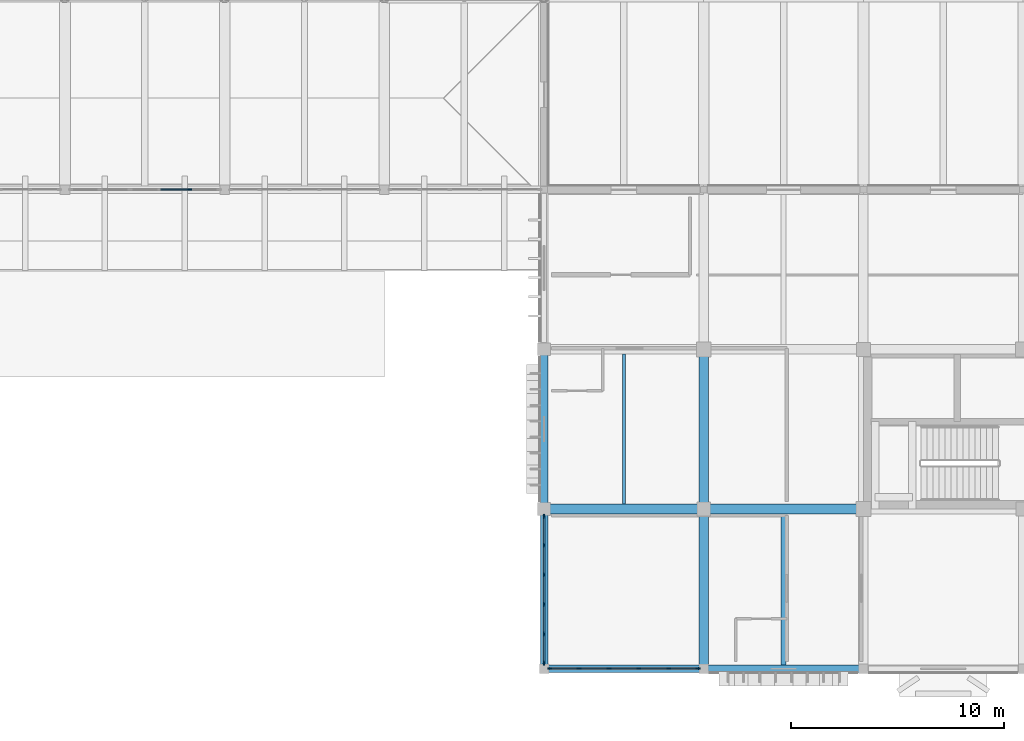
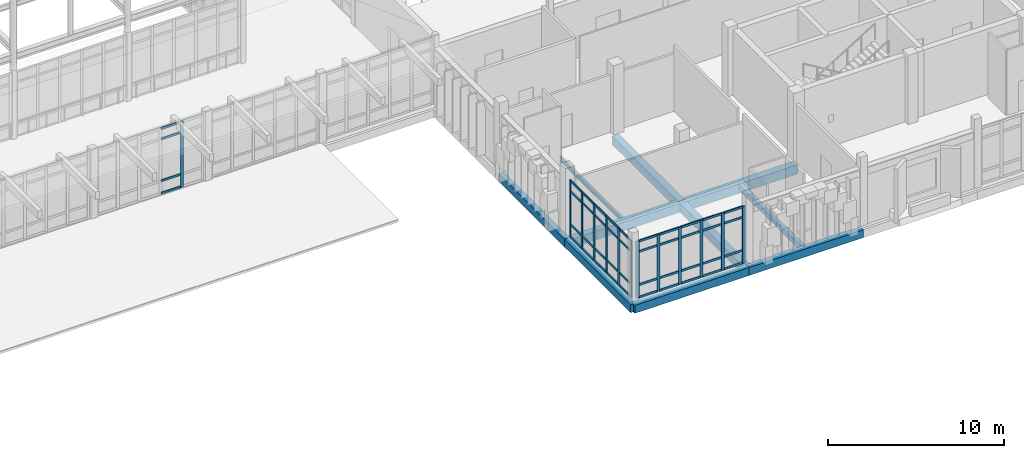
# One storey, part 28 of 131: 57 members, 10 beams, 3 elements without a shape of their own.
"""IFC4 building model written with IfcOpenShell, lengths in metres."""

from ifc_helpers import new_model, si_unit, direction, frame, origin, origin_2d, place, context, subcontext, project, spatial, rectangle, i_section, extrude, material, layer, layer_set, material_profile, profile_set, type_object, element, aggregate, save


model = new_model("IFC4")

# Units and contexts
model_context = context("Model", 3, precision=1e-05, world=origin(), true_north=direction((0.0, 1.0)))
body_context = subcontext(model_context, "Body", "Model", "MODEL_VIEW")
ifc_project = project(units=[si_unit("LENGTHUNIT", "METRE"), si_unit("AREAUNIT", "SQUARE_METRE"), si_unit("VOLUMEUNIT", "CUBIC_METRE"), si_unit("PLANEANGLEUNIT", "RADIAN"), si_unit("MASSUNIT", "GRAM", prefix="KILO")], contexts=[model_context])

# Site, building, storey
site_placement = place(None, origin())
site = spatial("IfcSite", under=ifc_project, at=site_placement, CompositionType="ELEMENT")
building_placement = place(site_placement, origin())
building = spatial("IfcBuilding", under=site, at=building_placement, Name="Dalvernix Boulevard General Hospital", CompositionType="ELEMENT")
storey_placement = place(building_placement, frame((0.0, 0.0, 9.300048828125)))
storey = spatial("IfcBuildingStorey", under=building, at=storey_placement, Name="L02", CompositionType="ELEMENT", Elevation=9.300048828125)

# Beams
ifc_material_1 = material(Name="Concrete C35/45", Category="concrete")
ifc_material_profile_1 = material_profile(ifc_material_1, rectangle(XDim=0.449951171875, YDim=0.64990234375, at=origin_2d()), Name="RCB 450x650")
ifc_profile_set_1 = profile_set([ifc_material_profile_1], Name="Concrete C35/45")
beam_type_1 = type_object("IfcBeamType", Name="BM-B-03-I", PredefinedType="BEAM", material=ifc_profile_set_1)
beam_1_placement = place(storey_placement, frame((120.0, 7.5, -0.64501953125), z_axis=(1.0, 0.0, 0.0), x_axis=(0.0, 1.0, 0.0)))
element("IfcBeam", 1, at=beam_1_placement, inside=storey, type_object=beam_type_1, Name="L02 E-W girder B:17-18", PredefinedType="BEAM", context=body_context, shape_type="SweptSolid", body=[
    extrude(rectangle(XDim=0.449951171875, YDim=0.64990234375, at=origin_2d()), origin(), (0.0, 0.0, 1.0), 7.5),
])
ifc_material_profile_2 = material_profile(ifc_material_1, rectangle(XDim=0.449951171875, YDim=0.60009765625, at=origin_2d()), Name="RCB 450x600")
ifc_profile_set_2 = profile_set([ifc_material_profile_2], Name="Concrete C35/45")
beam_type_2 = type_object("IfcBeamType", Name="BM-B-04-I", PredefinedType="BEAM", material=ifc_profile_set_2)
for number, where, z_axis, x_axis, name in (
    (2, (112.5, 7.5, -0.6201171875), (1.0, 0.0, 0.0), (0.0, 1.0, 0.0), "L02 E-W girder B:16-17"),
    (3, (120.0, 0.0, -0.6201171875), (0.0, 1.0, 0.0), (-1.0, 0.0, 0.0), "L02 N-S girder 17:A-B"),
    (4, (120.0, 7.5, -0.6201171875), (0.0, 1.0, 0.0), (-1.0, 0.0, 0.0), "L02 N-S girder 17:B-C"),
):
    element("IfcBeam", number, at=place(storey_placement, frame(where, z_axis=z_axis, x_axis=x_axis)), inside=storey, type_object=beam_type_2, Name=name, PredefinedType="BEAM", context=body_context, shape_type="SweptSolid", body=[
        extrude(rectangle(XDim=0.449951171875, YDim=0.60009765625, at=origin_2d()), origin(), (0.0, 0.0, 1.0), 7.5),
    ])
ifc_material_profile_3 = material_profile(ifc_material_1, rectangle(XDim=0.25, YDim=0.39990234375, at=origin_2d()), Name="RCB 250x400")
ifc_profile_set_3 = profile_set([ifc_material_profile_3], Name="Concrete C35/45")
beam_type_3 = type_object("IfcBeamType", Name="BM-JB-02", PredefinedType="JOIST", material=ifc_profile_set_3)
beam_2_placement = place(storey_placement, frame((123.75, 0.175048828125, -0.52001953125), z_axis=(0.0, 1.0, 0.0), x_axis=(-1.0, 0.0, 0.0)))
element("IfcBeam", 5, at=beam_2_placement, inside=storey, type_object=beam_type_3, Name="L02 secondary floor beam 17-A", PredefinedType="JOIST", context=body_context, shape_type="SweptSolid", body=[
    extrude(rectangle(XDim=0.25, YDim=0.39990234375, at=origin_2d()), origin(), (0.0, 0.0, 1.0), 7.099853515625),
])
ifc_material_2 = material(Name="Steel S355", Category="steel")
ifc_material_profile_4 = material_profile(ifc_material_2, i_section(OverallWidth=0.14990234375, OverallDepth=0.300048828125, WebThickness=0.007080078125, FlangeThickness=0.0107421875, FilletRadius=0.014892578125, at=origin_2d()), Name="IPE 300")
ifc_profile_set_4 = profile_set([ifc_material_profile_4], Name="Steel S355")
beam_type_4 = type_object("IfcBeamType", Name="BM-JB-03", PredefinedType="JOIST", material=ifc_profile_set_4)
beam_3_placement = place(storey_placement, frame((116.25, 7.72509765625, -0.469970703125), z_axis=(0.0, 1.0, 0.0), x_axis=(-1.0, 0.0, 0.0)))
element("IfcBeam", 6, at=beam_3_placement, inside=storey, type_object=beam_type_4, Name="L02 secondary floor beam 16-B", PredefinedType="JOIST", context=body_context, shape_type="SweptSolid", body=[
    extrude(i_section(OverallWidth=0.14990234375, OverallDepth=0.300048828125, WebThickness=0.007080078125, FlangeThickness=0.0107421875, FilletRadius=0.014892578125, at=origin_2d()), origin(), (0.0, 0.0, 1.0), 7.0498046875),
])
ifc_material_profile_5 = material_profile(ifc_material_1, rectangle(XDim=0.35009765625, YDim=0.550048828125, at=origin_2d()), Name="RCB 350x550")
ifc_profile_set_5 = profile_set([ifc_material_profile_5], Name="Concrete C35/45")
beam_type_5 = type_object("IfcBeamType", Name="BM-SB-01-E", PredefinedType="SPANDREL", material=ifc_profile_set_5)
for number, where, z_axis, x_axis, name in (
    (7, (112.5, 0.0, -0.594970703125), (1.0, 0.0, 0.0), (0.0, 1.0, 0.0), "L02 E-W girder A:16-17"),
    (8, (120.0, 0.0, -0.594970703125), (1.0, 0.0, 0.0), (0.0, 1.0, 0.0), "L02 E-W girder A:17-18"),
    (9, (112.5, 0.0, -0.594970703125), (0.0, 1.0, 0.0), (-1.0, 0.0, 0.0), "L02 N-S girder 16:A-B"),
    (10, (112.5, 7.5, -0.594970703125), (0.0, 1.0, 0.0), (-1.0, 0.0, 0.0), "L02 N-S girder 16:B-C"),
):
    element("IfcBeam", number, at=place(storey_placement, frame(where, z_axis=z_axis, x_axis=x_axis)), inside=storey, type_object=beam_type_5, Name=name, PredefinedType="SPANDREL", context=body_context, shape_type="SweptSolid", body=[
        extrude(rectangle(XDim=0.35009765625, YDim=0.550048828125, at=origin_2d()), origin(), (0.0, 0.0, 1.0), 7.5),
    ])

# Curtain wall, member
ifc_material_3 = material(Name="Thermally broken aluminium and solar-control glass curtain wall", Category="aluminium")
ifc_layer_1 = layer(ifc_material_3, 0.199951171875)
ifc_layer_set_1 = layer_set([ifc_layer_1], Name="Thermally broken aluminium and solar-control glass curtain wall (CW-CW-C-70x46)")
curtain_wall_type_1 = type_object("IfcCurtainWallType", Name="CW-CW-C-70x46", PredefinedType="USERDEFINED", material=ifc_layer_set_1)
curtain_wall_1_placement = place(storey_placement, origin())
curtain_wall_1 = element("IfcCurtainWall", 11, at=curtain_wall_1_placement, inside=storey, type_object=curtain_wall_type_1, Name="L02 curtain wall CW-C-70x46 12-3", ObjectType="GLAZED FACADE", PredefinedType="USERDEFINED")
ifc_material_4 = material(Name="Aluminium EN AW-6060", Category="aluminium")
ifc_material_profile_6 = material_profile(ifc_material_4, rectangle(XDim=0.070068359375, YDim=0.199951171875, at=origin_2d()), Name="ALU MULL 70x200")
ifc_profile_set_6 = profile_set([ifc_material_profile_6], Name="Aluminium EN AW-6060")
member_type_1 = type_object("IfcMemberType", Name="MEM-CW-M3", PredefinedType="MULLION", material=ifc_profile_set_6)
member_1_placement = place(storey_placement, frame((95.85888671875, 22.5, 0.0), z_axis=(0.0, 0.0, 1.0), x_axis=(0.0, -1.0, 0.0)))
member_1 = element("IfcMember", 12, at=member_1_placement, type_object=member_type_1, Name="CW-C-70x46 mullion 2", PredefinedType="MULLION", context=body_context, shape_type="SweptSolid", body=[
    extrude(rectangle(XDim=0.070068359375, YDim=0.199951171875, at=origin_2d()), origin(), (0.0, 0.0, 1.0), 4.550048828125),
])

# Curtain wall, members
ifc_layer_2 = layer(ifc_material_3, 0.199951171875)
ifc_layer_set_2 = layer_set([ifc_layer_2], Name="Thermally broken aluminium and solar-control glass curtain wall (CW-CW-C-70x40)")
curtain_wall_type_2 = type_object("IfcCurtainWallType", Name="CW-CW-C-70x40", PredefinedType="USERDEFINED", material=ifc_layer_set_2)
curtain_wall_2_placement = place(storey_placement, origin())
curtain_wall_2 = element("IfcCurtainWall", 13, at=curtain_wall_2_placement, inside=storey, type_object=curtain_wall_type_2, Name="L02 curtain wall CW-C-70x40 15-0", ObjectType="GLAZED FACADE", PredefinedType="USERDEFINED")
member_2_placement = place(storey_placement, frame((119.72998046875, 0.0, 0.0), z_axis=(0.0, 0.0, 1.0), x_axis=(0.0, -1.0, 0.0)))
member_2 = element("IfcMember", 14, at=member_2_placement, type_object=member_type_1, Name="CW-C-70x40 mullion 1", PredefinedType="MULLION", context=body_context, shape_type="SweptSolid", body=[
    extrude(rectangle(XDim=0.070068359375, YDim=0.199951171875, at=origin_2d()), origin(), (0.0, 0.0, 1.0), 3.949951171875),
])
member_3_placement = place(storey_placement, frame((118.35888671875, 0.0, 0.0), z_axis=(0.0, 0.0, 1.0), x_axis=(0.0, -1.0, 0.0)))
member_3 = element("IfcMember", 15, at=member_3_placement, type_object=member_type_1, Name="CW-C-70x40 mullion 2", PredefinedType="MULLION", context=body_context, shape_type="SweptSolid", body=[
    extrude(rectangle(XDim=0.070068359375, YDim=0.199951171875, at=origin_2d()), origin(), (0.0, 0.0, 1.0), 3.949951171875),
])
member_4_placement = place(storey_placement, frame((116.952880859375, 0.0, 0.0), z_axis=(0.0, 0.0, 1.0), x_axis=(0.0, -1.0, 0.0)))
member_4 = element("IfcMember", 16, at=member_4_placement, type_object=member_type_1, Name="CW-C-70x40 mullion 3", PredefinedType="MULLION", context=body_context, shape_type="SweptSolid", body=[
    extrude(rectangle(XDim=0.070068359375, YDim=0.199951171875, at=origin_2d()), origin(), (0.0, 0.0, 1.0), 3.949951171875),
])
member_5_placement = place(storey_placement, frame((115.547119140625, 0.0, 0.0), z_axis=(0.0, 0.0, 1.0), x_axis=(0.0, -1.0, 0.0)))
member_5 = element("IfcMember", 17, at=member_5_placement, type_object=member_type_1, Name="CW-C-70x40 mullion 4", PredefinedType="MULLION", context=body_context, shape_type="SweptSolid", body=[
    extrude(rectangle(XDim=0.070068359375, YDim=0.199951171875, at=origin_2d()), origin(), (0.0, 0.0, 1.0), 3.949951171875),
])
member_6_placement = place(storey_placement, frame((114.14111328125, 0.0, 0.0), z_axis=(0.0, 0.0, 1.0), x_axis=(0.0, -1.0, 0.0)))
member_6 = element("IfcMember", 18, at=member_6_placement, type_object=member_type_1, Name="CW-C-70x40 mullion 5", PredefinedType="MULLION", context=body_context, shape_type="SweptSolid", body=[
    extrude(rectangle(XDim=0.070068359375, YDim=0.199951171875, at=origin_2d()), origin(), (0.0, 0.0, 1.0), 3.949951171875),
])
member_7_placement = place(storey_placement, frame((112.77001953125, 0.0, 0.0), z_axis=(0.0, 0.0, 1.0), x_axis=(0.0, -1.0, 0.0)))
member_7 = element("IfcMember", 19, at=member_7_placement, type_object=member_type_1, Name="CW-C-70x40 mullion 6", PredefinedType="MULLION", context=body_context, shape_type="SweptSolid", body=[
    extrude(rectangle(XDim=0.070068359375, YDim=0.199951171875, at=origin_2d()), origin(), (0.0, 0.0, 1.0), 3.949951171875),
])

curtain_wall_3_placement = place(storey_placement, origin())
curtain_wall_3 = element("IfcCurtainWall", 20, at=curtain_wall_3_placement, inside=storey, type_object=curtain_wall_type_2, Name="L02 curtain wall CW-C-70x40 15-0", ObjectType="GLAZED FACADE", PredefinedType="USERDEFINED")
member_8_placement = place(storey_placement, frame((112.5, 0.27001953125, 0.0), z_axis=(0.0, 0.0, 1.0), x_axis=(-1.0, 0.0, 0.0)))
member_8 = element("IfcMember", 21, at=member_8_placement, type_object=member_type_1, Name="CW-C-70x40 mullion 1", PredefinedType="MULLION", context=body_context, shape_type="SweptSolid", body=[
    extrude(rectangle(XDim=0.070068359375, YDim=0.199951171875, at=origin_2d()), origin(), (0.0, 0.0, 1.0), 3.949951171875),
])
member_9_placement = place(storey_placement, frame((112.5, 1.6259765625, 0.0), z_axis=(0.0, 0.0, 1.0), x_axis=(-1.0, 0.0, 0.0)))
member_9 = element("IfcMember", 22, at=member_9_placement, type_object=member_type_1, Name="CW-C-70x40 mullion 2", PredefinedType="MULLION", context=body_context, shape_type="SweptSolid", body=[
    extrude(rectangle(XDim=0.070068359375, YDim=0.199951171875, at=origin_2d()), origin(), (0.0, 0.0, 1.0), 3.949951171875),
])
member_10_placement = place(storey_placement, frame((112.5, 3.01708984375, 0.0), z_axis=(0.0, 0.0, 1.0), x_axis=(-1.0, 0.0, 0.0)))
member_10 = element("IfcMember", 23, at=member_10_placement, type_object=member_type_1, Name="CW-C-70x40 mullion 3", PredefinedType="MULLION", context=body_context, shape_type="SweptSolid", body=[
    extrude(rectangle(XDim=0.070068359375, YDim=0.199951171875, at=origin_2d()), origin(), (0.0, 0.0, 1.0), 3.949951171875),
])
member_11_placement = place(storey_placement, frame((112.5, 4.407958984375, 0.0), z_axis=(0.0, 0.0, 1.0), x_axis=(-1.0, 0.0, 0.0)))
member_11 = element("IfcMember", 24, at=member_11_placement, type_object=member_type_1, Name="CW-C-70x40 mullion 4", PredefinedType="MULLION", context=body_context, shape_type="SweptSolid", body=[
    extrude(rectangle(XDim=0.070068359375, YDim=0.199951171875, at=origin_2d()), origin(), (0.0, 0.0, 1.0), 3.949951171875),
])
member_12_placement = place(storey_placement, frame((112.5, 5.799072265625, 0.0), z_axis=(0.0, 0.0, 1.0), x_axis=(-1.0, 0.0, 0.0)))
member_12 = element("IfcMember", 25, at=member_12_placement, type_object=member_type_1, Name="CW-C-70x40 mullion 5", PredefinedType="MULLION", context=body_context, shape_type="SweptSolid", body=[
    extrude(rectangle(XDim=0.070068359375, YDim=0.199951171875, at=origin_2d()), origin(), (0.0, 0.0, 1.0), 3.949951171875),
])
member_13_placement = place(storey_placement, frame((112.5, 7.155029296875, 0.0), z_axis=(0.0, 0.0, 1.0), x_axis=(-1.0, 0.0, 0.0)))
member_13 = element("IfcMember", 26, at=member_13_placement, type_object=member_type_1, Name="CW-C-70x40 mullion 6", PredefinedType="MULLION", context=body_context, shape_type="SweptSolid", body=[
    extrude(rectangle(XDim=0.070068359375, YDim=0.199951171875, at=origin_2d()), origin(), (0.0, 0.0, 1.0), 3.949951171875),
])

# Member
ifc_material_profile_7 = material_profile(ifc_material_4, rectangle(XDim=0.070068359375, YDim=0.14990234375, at=origin_2d()), Name="ALU TRAN 70x150")
ifc_profile_set_7 = profile_set([ifc_material_profile_7], Name="Aluminium EN AW-6060")
member_type_2 = type_object("IfcMemberType", Name="MEM-CW-T3", PredefinedType="USERDEFINED", material=ifc_profile_set_7)
member_14_placement = place(storey_placement, frame((95.823974609375, 22.5, 0.034912109375), z_axis=(-1.0, 0.0, 0.0), x_axis=(0.0, -1.0, 0.0)))
member_14 = element("IfcMember", 27, at=member_14_placement, type_object=member_type_2, Name="CW-C-70x46 transom 2.1", ObjectType="TRANSOM", PredefinedType="USERDEFINED", context=body_context, shape_type="SweptSolid", body=[
    extrude(rectangle(XDim=0.070068359375, YDim=0.14990234375, at=origin_2d()), origin(), (0.0, 0.0, 1.0), 1.3359375),
])

member_15_placement = place(storey_placement, frame((95.823974609375, 22.5, 0.89990234375), z_axis=(-1.0, 0.0, 0.0), x_axis=(0.0, -1.0, 0.0)))
member_15 = element("IfcMember", 28, at=member_15_placement, type_object=member_type_2, Name="CW-C-70x46 transom 2.2", ObjectType="TRANSOM", PredefinedType="USERDEFINED", context=body_context, shape_type="SweptSolid", body=[
    extrude(rectangle(XDim=0.070068359375, YDim=0.14990234375, at=origin_2d()), origin(), (0.0, 0.0, 1.0), 1.3359375),
])

member_16_placement = place(storey_placement, frame((95.823974609375, 22.5, 3.800048828125), z_axis=(-1.0, 0.0, 0.0), x_axis=(0.0, -1.0, 0.0)))
member_16 = element("IfcMember", 29, at=member_16_placement, type_object=member_type_2, Name="CW-C-70x46 transom 2.3", ObjectType="TRANSOM", PredefinedType="USERDEFINED", context=body_context, shape_type="SweptSolid", body=[
    extrude(rectangle(XDim=0.070068359375, YDim=0.14990234375, at=origin_2d()), origin(), (0.0, 0.0, 1.0), 1.3359375),
])

member_17_placement = place(storey_placement, frame((95.823974609375, 22.5, 4.514892578125), z_axis=(-1.0, 0.0, 0.0), x_axis=(0.0, -1.0, 0.0)))
member_17 = element("IfcMember", 30, at=member_17_placement, type_object=member_type_2, Name="CW-C-70x46 transom 2.4", ObjectType="TRANSOM", PredefinedType="USERDEFINED", context=body_context, shape_type="SweptSolid", body=[
    extrude(rectangle(XDim=0.070068359375, YDim=0.14990234375, at=origin_2d()), origin(), (0.0, 0.0, 1.0), 1.3359375),
])

aggregate(curtain_wall_1, [member_1, member_14, member_15, member_16, member_17])

member_18_placement = place(storey_placement, frame((119.695068359375, 0.0, 0.034912109375), z_axis=(-1.0, 0.0, 0.0), x_axis=(0.0, -1.0, 0.0)))
member_18 = element("IfcMember", 31, at=member_18_placement, type_object=member_type_2, Name="CW-C-70x40 transom 1.1", ObjectType="TRANSOM", PredefinedType="USERDEFINED", context=body_context, shape_type="SweptSolid", body=[
    extrude(rectangle(XDim=0.070068359375, YDim=0.14990234375, at=origin_2d()), origin(), (0.0, 0.0, 1.0), 1.301025390625),
])

member_19_placement = place(storey_placement, frame((119.695068359375, 0.0, 0.89990234375), z_axis=(-1.0, 0.0, 0.0), x_axis=(0.0, -1.0, 0.0)))
member_19 = element("IfcMember", 32, at=member_19_placement, type_object=member_type_2, Name="CW-C-70x40 transom 1.2", ObjectType="TRANSOM", PredefinedType="USERDEFINED", context=body_context, shape_type="SweptSolid", body=[
    extrude(rectangle(XDim=0.070068359375, YDim=0.14990234375, at=origin_2d()), origin(), (0.0, 0.0, 1.0), 1.301025390625),
])

member_20_placement = place(storey_placement, frame((119.695068359375, 0.0, 3.199951171875), z_axis=(-1.0, 0.0, 0.0), x_axis=(0.0, -1.0, 0.0)))
member_20 = element("IfcMember", 33, at=member_20_placement, type_object=member_type_2, Name="CW-C-70x40 transom 1.3", ObjectType="TRANSOM", PredefinedType="USERDEFINED", context=body_context, shape_type="SweptSolid", body=[
    extrude(rectangle(XDim=0.070068359375, YDim=0.14990234375, at=origin_2d()), origin(), (0.0, 0.0, 1.0), 1.301025390625),
])

member_21_placement = place(storey_placement, frame((119.695068359375, 0.0, 3.9150390625), z_axis=(-1.0, 0.0, 0.0), x_axis=(0.0, -1.0, 0.0)))
member_21 = element("IfcMember", 34, at=member_21_placement, type_object=member_type_2, Name="CW-C-70x40 transom 1.4", ObjectType="TRANSOM", PredefinedType="USERDEFINED", context=body_context, shape_type="SweptSolid", body=[
    extrude(rectangle(XDim=0.070068359375, YDim=0.14990234375, at=origin_2d()), origin(), (0.0, 0.0, 1.0), 1.301025390625),
])

member_22_placement = place(storey_placement, frame((118.323974609375, 0.0, 0.034912109375), z_axis=(-1.0, 0.0, 0.0), x_axis=(0.0, -1.0, 0.0)))
member_22 = element("IfcMember", 35, at=member_22_placement, type_object=member_type_2, Name="CW-C-70x40 transom 2.1", ObjectType="TRANSOM", PredefinedType="USERDEFINED", context=body_context, shape_type="SweptSolid", body=[
    extrude(rectangle(XDim=0.070068359375, YDim=0.14990234375, at=origin_2d()), origin(), (0.0, 0.0, 1.0), 1.3359375),
])

member_23_placement = place(storey_placement, frame((118.323974609375, 0.0, 0.89990234375), z_axis=(-1.0, 0.0, 0.0), x_axis=(0.0, -1.0, 0.0)))
member_23 = element("IfcMember", 36, at=member_23_placement, type_object=member_type_2, Name="CW-C-70x40 transom 2.2", ObjectType="TRANSOM", PredefinedType="USERDEFINED", context=body_context, shape_type="SweptSolid", body=[
    extrude(rectangle(XDim=0.070068359375, YDim=0.14990234375, at=origin_2d()), origin(), (0.0, 0.0, 1.0), 1.3359375),
])

member_24_placement = place(storey_placement, frame((118.323974609375, 0.0, 3.199951171875), z_axis=(-1.0, 0.0, 0.0), x_axis=(0.0, -1.0, 0.0)))
member_24 = element("IfcMember", 37, at=member_24_placement, type_object=member_type_2, Name="CW-C-70x40 transom 2.3", ObjectType="TRANSOM", PredefinedType="USERDEFINED", context=body_context, shape_type="SweptSolid", body=[
    extrude(rectangle(XDim=0.070068359375, YDim=0.14990234375, at=origin_2d()), origin(), (0.0, 0.0, 1.0), 1.3359375),
])

member_25_placement = place(storey_placement, frame((118.323974609375, 0.0, 3.9150390625), z_axis=(-1.0, 0.0, 0.0), x_axis=(0.0, -1.0, 0.0)))
member_25 = element("IfcMember", 38, at=member_25_placement, type_object=member_type_2, Name="CW-C-70x40 transom 2.4", ObjectType="TRANSOM", PredefinedType="USERDEFINED", context=body_context, shape_type="SweptSolid", body=[
    extrude(rectangle(XDim=0.070068359375, YDim=0.14990234375, at=origin_2d()), origin(), (0.0, 0.0, 1.0), 1.3359375),
])

member_26_placement = place(storey_placement, frame((116.91796875, 0.0, 0.034912109375), z_axis=(-1.0, 0.0, 0.0), x_axis=(0.0, -1.0, 0.0)))
member_26 = element("IfcMember", 39, at=member_26_placement, type_object=member_type_2, Name="CW-C-70x40 transom 3.1", ObjectType="TRANSOM", PredefinedType="USERDEFINED", context=body_context, shape_type="SweptSolid", body=[
    extrude(rectangle(XDim=0.070068359375, YDim=0.14990234375, at=origin_2d()), origin(), (0.0, 0.0, 1.0), 1.3359375),
])

member_27_placement = place(storey_placement, frame((116.91796875, 0.0, 0.89990234375), z_axis=(-1.0, 0.0, 0.0), x_axis=(0.0, -1.0, 0.0)))
member_27 = element("IfcMember", 40, at=member_27_placement, type_object=member_type_2, Name="CW-C-70x40 transom 3.2", ObjectType="TRANSOM", PredefinedType="USERDEFINED", context=body_context, shape_type="SweptSolid", body=[
    extrude(rectangle(XDim=0.070068359375, YDim=0.14990234375, at=origin_2d()), origin(), (0.0, 0.0, 1.0), 1.3359375),
])

member_28_placement = place(storey_placement, frame((116.91796875, 0.0, 3.199951171875), z_axis=(-1.0, 0.0, 0.0), x_axis=(0.0, -1.0, 0.0)))
member_28 = element("IfcMember", 41, at=member_28_placement, type_object=member_type_2, Name="CW-C-70x40 transom 3.3", ObjectType="TRANSOM", PredefinedType="USERDEFINED", context=body_context, shape_type="SweptSolid", body=[
    extrude(rectangle(XDim=0.070068359375, YDim=0.14990234375, at=origin_2d()), origin(), (0.0, 0.0, 1.0), 1.3359375),
])

member_29_placement = place(storey_placement, frame((116.91796875, 0.0, 3.9150390625), z_axis=(-1.0, 0.0, 0.0), x_axis=(0.0, -1.0, 0.0)))
member_29 = element("IfcMember", 42, at=member_29_placement, type_object=member_type_2, Name="CW-C-70x40 transom 3.4", ObjectType="TRANSOM", PredefinedType="USERDEFINED", context=body_context, shape_type="SweptSolid", body=[
    extrude(rectangle(XDim=0.070068359375, YDim=0.14990234375, at=origin_2d()), origin(), (0.0, 0.0, 1.0), 1.3359375),
])

member_30_placement = place(storey_placement, frame((115.511962890625, 0.0, 0.034912109375), z_axis=(-1.0, 0.0, 0.0), x_axis=(0.0, -1.0, 0.0)))
member_30 = element("IfcMember", 43, at=member_30_placement, type_object=member_type_2, Name="CW-C-70x40 transom 4.1", ObjectType="TRANSOM", PredefinedType="USERDEFINED", context=body_context, shape_type="SweptSolid", body=[
    extrude(rectangle(XDim=0.070068359375, YDim=0.14990234375, at=origin_2d()), origin(), (0.0, 0.0, 1.0), 1.3359375),
])

member_31_placement = place(storey_placement, frame((115.511962890625, 0.0, 0.89990234375), z_axis=(-1.0, 0.0, 0.0), x_axis=(0.0, -1.0, 0.0)))
member_31 = element("IfcMember", 44, at=member_31_placement, type_object=member_type_2, Name="CW-C-70x40 transom 4.2", ObjectType="TRANSOM", PredefinedType="USERDEFINED", context=body_context, shape_type="SweptSolid", body=[
    extrude(rectangle(XDim=0.070068359375, YDim=0.14990234375, at=origin_2d()), origin(), (0.0, 0.0, 1.0), 1.3359375),
])

member_32_placement = place(storey_placement, frame((115.511962890625, 0.0, 3.199951171875), z_axis=(-1.0, 0.0, 0.0), x_axis=(0.0, -1.0, 0.0)))
member_32 = element("IfcMember", 45, at=member_32_placement, type_object=member_type_2, Name="CW-C-70x40 transom 4.3", ObjectType="TRANSOM", PredefinedType="USERDEFINED", context=body_context, shape_type="SweptSolid", body=[
    extrude(rectangle(XDim=0.070068359375, YDim=0.14990234375, at=origin_2d()), origin(), (0.0, 0.0, 1.0), 1.3359375),
])

member_33_placement = place(storey_placement, frame((115.511962890625, 0.0, 3.9150390625), z_axis=(-1.0, 0.0, 0.0), x_axis=(0.0, -1.0, 0.0)))
member_33 = element("IfcMember", 46, at=member_33_placement, type_object=member_type_2, Name="CW-C-70x40 transom 4.4", ObjectType="TRANSOM", PredefinedType="USERDEFINED", context=body_context, shape_type="SweptSolid", body=[
    extrude(rectangle(XDim=0.070068359375, YDim=0.14990234375, at=origin_2d()), origin(), (0.0, 0.0, 1.0), 1.3359375),
])

member_34_placement = place(storey_placement, frame((114.10595703125, 0.0, 0.034912109375), z_axis=(-1.0, 0.0, 0.0), x_axis=(0.0, -1.0, 0.0)))
member_34 = element("IfcMember", 47, at=member_34_placement, type_object=member_type_2, Name="CW-C-70x40 transom 5.1", ObjectType="TRANSOM", PredefinedType="USERDEFINED", context=body_context, shape_type="SweptSolid", body=[
    extrude(rectangle(XDim=0.070068359375, YDim=0.14990234375, at=origin_2d()), origin(), (0.0, 0.0, 1.0), 1.301025390625),
])

member_35_placement = place(storey_placement, frame((114.10595703125, 0.0, 0.89990234375), z_axis=(-1.0, 0.0, 0.0), x_axis=(0.0, -1.0, 0.0)))
member_35 = element("IfcMember", 48, at=member_35_placement, type_object=member_type_2, Name="CW-C-70x40 transom 5.2", ObjectType="TRANSOM", PredefinedType="USERDEFINED", context=body_context, shape_type="SweptSolid", body=[
    extrude(rectangle(XDim=0.070068359375, YDim=0.14990234375, at=origin_2d()), origin(), (0.0, 0.0, 1.0), 1.301025390625),
])

member_36_placement = place(storey_placement, frame((114.10595703125, 0.0, 3.199951171875), z_axis=(-1.0, 0.0, 0.0), x_axis=(0.0, -1.0, 0.0)))
member_36 = element("IfcMember", 49, at=member_36_placement, type_object=member_type_2, Name="CW-C-70x40 transom 5.3", ObjectType="TRANSOM", PredefinedType="USERDEFINED", context=body_context, shape_type="SweptSolid", body=[
    extrude(rectangle(XDim=0.070068359375, YDim=0.14990234375, at=origin_2d()), origin(), (0.0, 0.0, 1.0), 1.301025390625),
])

member_37_placement = place(storey_placement, frame((114.10595703125, 0.0, 3.9150390625), z_axis=(-1.0, 0.0, 0.0), x_axis=(0.0, -1.0, 0.0)))
member_37 = element("IfcMember", 50, at=member_37_placement, type_object=member_type_2, Name="CW-C-70x40 transom 5.4", ObjectType="TRANSOM", PredefinedType="USERDEFINED", context=body_context, shape_type="SweptSolid", body=[
    extrude(rectangle(XDim=0.070068359375, YDim=0.14990234375, at=origin_2d()), origin(), (0.0, 0.0, 1.0), 1.301025390625),
])

aggregate(curtain_wall_2, [member_2, member_3, member_4, member_5, member_6, member_7, member_18, member_19, member_20, member_21, member_22, member_23, member_24, member_25, member_26, member_27, member_28, member_29, member_30, member_31, member_32, member_33, member_34, member_35, member_36, member_37])

member_38_placement = place(storey_placement, frame((112.5, 0.304931640625, 0.034912109375), z_axis=(0.0, 1.0, 0.0), x_axis=(-1.0, 0.0, 0.0)))
member_38 = element("IfcMember", 51, at=member_38_placement, type_object=member_type_2, Name="CW-C-70x40 transom 1.1", ObjectType="TRANSOM", PredefinedType="USERDEFINED", context=body_context, shape_type="SweptSolid", body=[
    extrude(rectangle(XDim=0.070068359375, YDim=0.14990234375, at=origin_2d()), origin(), (0.0, 0.0, 1.0), 1.2861328125),
])

member_39_placement = place(storey_placement, frame((112.5, 0.304931640625, 0.89990234375), z_axis=(0.0, 1.0, 0.0), x_axis=(-1.0, 0.0, 0.0)))
member_39 = element("IfcMember", 52, at=member_39_placement, type_object=member_type_2, Name="CW-C-70x40 transom 1.2", ObjectType="TRANSOM", PredefinedType="USERDEFINED", context=body_context, shape_type="SweptSolid", body=[
    extrude(rectangle(XDim=0.070068359375, YDim=0.14990234375, at=origin_2d()), origin(), (0.0, 0.0, 1.0), 1.2861328125),
])

member_40_placement = place(storey_placement, frame((112.5, 0.304931640625, 3.199951171875), z_axis=(0.0, 1.0, 0.0), x_axis=(-1.0, 0.0, 0.0)))
member_40 = element("IfcMember", 53, at=member_40_placement, type_object=member_type_2, Name="CW-C-70x40 transom 1.3", ObjectType="TRANSOM", PredefinedType="USERDEFINED", context=body_context, shape_type="SweptSolid", body=[
    extrude(rectangle(XDim=0.070068359375, YDim=0.14990234375, at=origin_2d()), origin(), (0.0, 0.0, 1.0), 1.2861328125),
])

member_41_placement = place(storey_placement, frame((112.5, 0.304931640625, 3.9150390625), z_axis=(0.0, 1.0, 0.0), x_axis=(-1.0, 0.0, 0.0)))
member_41 = element("IfcMember", 54, at=member_41_placement, type_object=member_type_2, Name="CW-C-70x40 transom 1.4", ObjectType="TRANSOM", PredefinedType="USERDEFINED", context=body_context, shape_type="SweptSolid", body=[
    extrude(rectangle(XDim=0.070068359375, YDim=0.14990234375, at=origin_2d()), origin(), (0.0, 0.0, 1.0), 1.2861328125),
])

member_42_placement = place(storey_placement, frame((112.5, 1.660888671875, 0.034912109375), z_axis=(0.0, 1.0, 0.0), x_axis=(-1.0, 0.0, 0.0)))
member_42 = element("IfcMember", 55, at=member_42_placement, type_object=member_type_2, Name="CW-C-70x40 transom 2.1", ObjectType="TRANSOM", PredefinedType="USERDEFINED", context=body_context, shape_type="SweptSolid", body=[
    extrude(rectangle(XDim=0.070068359375, YDim=0.14990234375, at=origin_2d()), origin(), (0.0, 0.0, 1.0), 1.321044921875),
])

member_43_placement = place(storey_placement, frame((112.5, 1.660888671875, 0.89990234375), z_axis=(0.0, 1.0, 0.0), x_axis=(-1.0, 0.0, 0.0)))
member_43 = element("IfcMember", 56, at=member_43_placement, type_object=member_type_2, Name="CW-C-70x40 transom 2.2", ObjectType="TRANSOM", PredefinedType="USERDEFINED", context=body_context, shape_type="SweptSolid", body=[
    extrude(rectangle(XDim=0.070068359375, YDim=0.14990234375, at=origin_2d()), origin(), (0.0, 0.0, 1.0), 1.321044921875),
])

member_44_placement = place(storey_placement, frame((112.5, 1.660888671875, 3.199951171875), z_axis=(0.0, 1.0, 0.0), x_axis=(-1.0, 0.0, 0.0)))
member_44 = element("IfcMember", 57, at=member_44_placement, type_object=member_type_2, Name="CW-C-70x40 transom 2.3", ObjectType="TRANSOM", PredefinedType="USERDEFINED", context=body_context, shape_type="SweptSolid", body=[
    extrude(rectangle(XDim=0.070068359375, YDim=0.14990234375, at=origin_2d()), origin(), (0.0, 0.0, 1.0), 1.321044921875),
])

member_45_placement = place(storey_placement, frame((112.5, 1.660888671875, 3.9150390625), z_axis=(0.0, 1.0, 0.0), x_axis=(-1.0, 0.0, 0.0)))
member_45 = element("IfcMember", 58, at=member_45_placement, type_object=member_type_2, Name="CW-C-70x40 transom 2.4", ObjectType="TRANSOM", PredefinedType="USERDEFINED", context=body_context, shape_type="SweptSolid", body=[
    extrude(rectangle(XDim=0.070068359375, YDim=0.14990234375, at=origin_2d()), origin(), (0.0, 0.0, 1.0), 1.321044921875),
])

member_46_placement = place(storey_placement, frame((112.5, 3.052001953125, 0.034912109375), z_axis=(0.0, 1.0, 0.0), x_axis=(-1.0, 0.0, 0.0)))
member_46 = element("IfcMember", 59, at=member_46_placement, type_object=member_type_2, Name="CW-C-70x40 transom 3.1", ObjectType="TRANSOM", PredefinedType="USERDEFINED", context=body_context, shape_type="SweptSolid", body=[
    extrude(rectangle(XDim=0.070068359375, YDim=0.14990234375, at=origin_2d()), origin(), (0.0, 0.0, 1.0), 1.321044921875),
])

member_47_placement = place(storey_placement, frame((112.5, 3.052001953125, 0.89990234375), z_axis=(0.0, 1.0, 0.0), x_axis=(-1.0, 0.0, 0.0)))
member_47 = element("IfcMember", 60, at=member_47_placement, type_object=member_type_2, Name="CW-C-70x40 transom 3.2", ObjectType="TRANSOM", PredefinedType="USERDEFINED", context=body_context, shape_type="SweptSolid", body=[
    extrude(rectangle(XDim=0.070068359375, YDim=0.14990234375, at=origin_2d()), origin(), (0.0, 0.0, 1.0), 1.321044921875),
])

member_48_placement = place(storey_placement, frame((112.5, 3.052001953125, 3.199951171875), z_axis=(0.0, 1.0, 0.0), x_axis=(-1.0, 0.0, 0.0)))
member_48 = element("IfcMember", 61, at=member_48_placement, type_object=member_type_2, Name="CW-C-70x40 transom 3.3", ObjectType="TRANSOM", PredefinedType="USERDEFINED", context=body_context, shape_type="SweptSolid", body=[
    extrude(rectangle(XDim=0.070068359375, YDim=0.14990234375, at=origin_2d()), origin(), (0.0, 0.0, 1.0), 1.321044921875),
])

member_49_placement = place(storey_placement, frame((112.5, 3.052001953125, 3.9150390625), z_axis=(0.0, 1.0, 0.0), x_axis=(-1.0, 0.0, 0.0)))
member_49 = element("IfcMember", 62, at=member_49_placement, type_object=member_type_2, Name="CW-C-70x40 transom 3.4", ObjectType="TRANSOM", PredefinedType="USERDEFINED", context=body_context, shape_type="SweptSolid", body=[
    extrude(rectangle(XDim=0.070068359375, YDim=0.14990234375, at=origin_2d()), origin(), (0.0, 0.0, 1.0), 1.321044921875),
])

member_50_placement = place(storey_placement, frame((112.5, 4.443115234375, 0.034912109375), z_axis=(0.0, 1.0, 0.0), x_axis=(-1.0, 0.0, 0.0)))
member_50 = element("IfcMember", 63, at=member_50_placement, type_object=member_type_2, Name="CW-C-70x40 transom 4.1", ObjectType="TRANSOM", PredefinedType="USERDEFINED", context=body_context, shape_type="SweptSolid", body=[
    extrude(rectangle(XDim=0.070068359375, YDim=0.14990234375, at=origin_2d()), origin(), (0.0, 0.0, 1.0), 1.32080078125),
])

member_51_placement = place(storey_placement, frame((112.5, 4.443115234375, 0.89990234375), z_axis=(0.0, 1.0, 0.0), x_axis=(-1.0, 0.0, 0.0)))
member_51 = element("IfcMember", 64, at=member_51_placement, type_object=member_type_2, Name="CW-C-70x40 transom 4.2", ObjectType="TRANSOM", PredefinedType="USERDEFINED", context=body_context, shape_type="SweptSolid", body=[
    extrude(rectangle(XDim=0.070068359375, YDim=0.14990234375, at=origin_2d()), origin(), (0.0, 0.0, 1.0), 1.32080078125),
])

member_52_placement = place(storey_placement, frame((112.5, 4.443115234375, 3.199951171875), z_axis=(0.0, 1.0, 0.0), x_axis=(-1.0, 0.0, 0.0)))
member_52 = element("IfcMember", 65, at=member_52_placement, type_object=member_type_2, Name="CW-C-70x40 transom 4.3", ObjectType="TRANSOM", PredefinedType="USERDEFINED", context=body_context, shape_type="SweptSolid", body=[
    extrude(rectangle(XDim=0.070068359375, YDim=0.14990234375, at=origin_2d()), origin(), (0.0, 0.0, 1.0), 1.32080078125),
])

member_53_placement = place(storey_placement, frame((112.5, 4.443115234375, 3.9150390625), z_axis=(0.0, 1.0, 0.0), x_axis=(-1.0, 0.0, 0.0)))
member_53 = element("IfcMember", 66, at=member_53_placement, type_object=member_type_2, Name="CW-C-70x40 transom 4.4", ObjectType="TRANSOM", PredefinedType="USERDEFINED", context=body_context, shape_type="SweptSolid", body=[
    extrude(rectangle(XDim=0.070068359375, YDim=0.14990234375, at=origin_2d()), origin(), (0.0, 0.0, 1.0), 1.32080078125),
])

member_54_placement = place(storey_placement, frame((112.5, 5.833984375, 0.034912109375), z_axis=(0.0, 1.0, 0.0), x_axis=(-1.0, 0.0, 0.0)))
member_54 = element("IfcMember", 67, at=member_54_placement, type_object=member_type_2, Name="CW-C-70x40 transom 5.1", ObjectType="TRANSOM", PredefinedType="USERDEFINED", context=body_context, shape_type="SweptSolid", body=[
    extrude(rectangle(XDim=0.070068359375, YDim=0.14990234375, at=origin_2d()), origin(), (0.0, 0.0, 1.0), 1.2861328125),
])

member_55_placement = place(storey_placement, frame((112.5, 5.833984375, 0.89990234375), z_axis=(0.0, 1.0, 0.0), x_axis=(-1.0, 0.0, 0.0)))
member_55 = element("IfcMember", 68, at=member_55_placement, type_object=member_type_2, Name="CW-C-70x40 transom 5.2", ObjectType="TRANSOM", PredefinedType="USERDEFINED", context=body_context, shape_type="SweptSolid", body=[
    extrude(rectangle(XDim=0.070068359375, YDim=0.14990234375, at=origin_2d()), origin(), (0.0, 0.0, 1.0), 1.2861328125),
])

member_56_placement = place(storey_placement, frame((112.5, 5.833984375, 3.199951171875), z_axis=(0.0, 1.0, 0.0), x_axis=(-1.0, 0.0, 0.0)))
member_56 = element("IfcMember", 69, at=member_56_placement, type_object=member_type_2, Name="CW-C-70x40 transom 5.3", ObjectType="TRANSOM", PredefinedType="USERDEFINED", context=body_context, shape_type="SweptSolid", body=[
    extrude(rectangle(XDim=0.070068359375, YDim=0.14990234375, at=origin_2d()), origin(), (0.0, 0.0, 1.0), 1.2861328125),
])

member_57_placement = place(storey_placement, frame((112.5, 5.833984375, 3.9150390625), z_axis=(0.0, 1.0, 0.0), x_axis=(-1.0, 0.0, 0.0)))
member_57 = element("IfcMember", 70, at=member_57_placement, type_object=member_type_2, Name="CW-C-70x40 transom 5.4", ObjectType="TRANSOM", PredefinedType="USERDEFINED", context=body_context, shape_type="SweptSolid", body=[
    extrude(rectangle(XDim=0.070068359375, YDim=0.14990234375, at=origin_2d()), origin(), (0.0, 0.0, 1.0), 1.2861328125),
])

aggregate(curtain_wall_3, [member_8, member_9, member_10, member_11, member_12, member_13, member_38, member_39, member_40, member_41, member_42, member_43, member_44, member_45, member_46, member_47, member_48, member_49, member_50, member_51, member_52, member_53, member_54, member_55, member_56, member_57])

save(model, "model.ifc")
